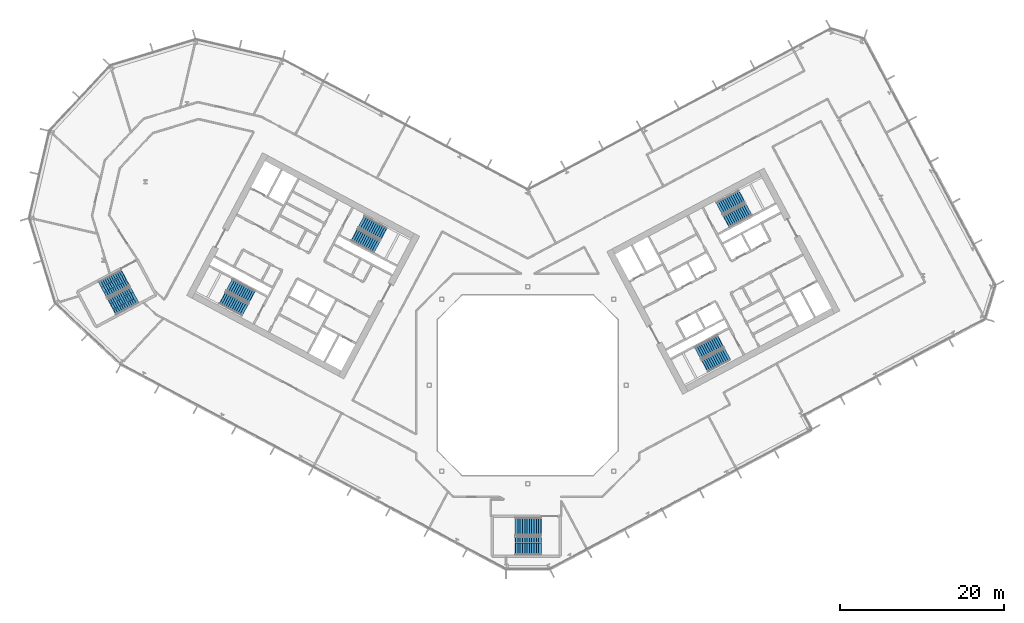
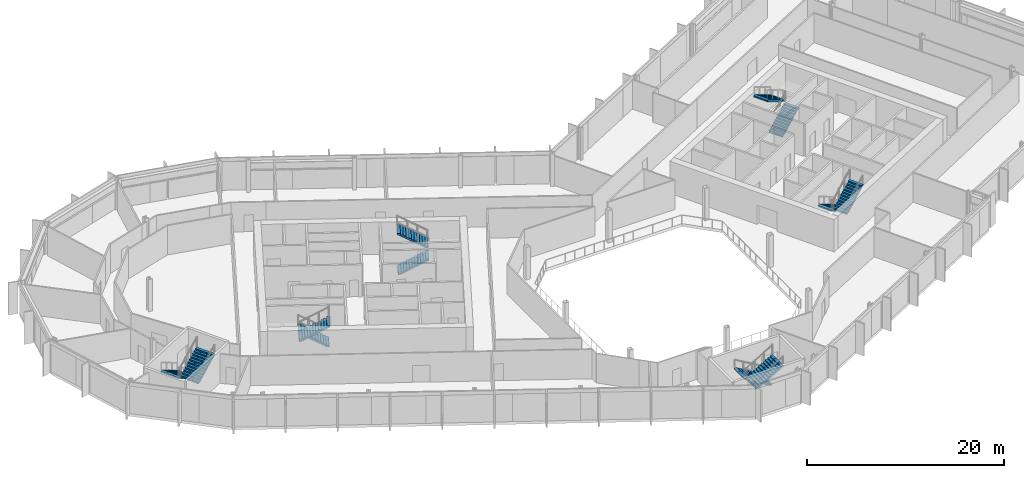
# One storey, part 18 of 28: 12 stair flights, 6 elements without a shape of their own.
"""IFC4 building model written with IfcOpenShell, lengths in metres."""

import ifcopenshell
import ifcopenshell.guid

model = None  # the IFC model being written
_history = None  # IfcOwnerHistory: only IFC2X3 demands one
_inside = {}  # id of a spatial element -> (the spatial element, [elements in it])
_under = {}  # id of a project, library or spatial element -> (it, [spatial elements below it])
_declared = {}  # id of a project -> (the project, [libraries it declares])
_typed = {}  # id of a type object -> (the type object, [elements of that type])
_made_of = {}  # id of a material, layer set ... -> (it, [elements and type objects made of it])


def new_model(schema):
    """Start an empty IFC model of exactly this schema.

    Asked for "IFC4X3", IfcOpenShell would pick the latest addendum, in which some entities
    have other attributes; the version numbers below select the first issue.
    IFC2X3 requires an IfcOwnerHistory on every rooted entity: one is made here for all.
    """
    global model, _history
    if schema == "IFC4X3":
        model = ifcopenshell.file(schema_version=(4, 3, 0, 0))
    else:
        model = ifcopenshell.file(schema=schema)
    _inside.clear()
    _under.clear()
    _declared.clear()
    _typed.clear()
    _made_of.clear()
    _history = None
    if model.schema == "IFC2X3":
        org = make("IfcOrganization", Name="unknown")
        user = make(
            "IfcPersonAndOrganization",
            ThePerson=make("IfcPerson", FamilyName="unknown"),
            TheOrganization=org,
        )
        app = make(
            "IfcApplication",
            ApplicationDeveloper=org,
            Version="unknown",
            ApplicationFullName="unknown",
            ApplicationIdentifier="unknown",
        )
        _history = make(
            "IfcOwnerHistory",
            OwningUser=user,
            OwningApplication=app,
            ChangeAction="ADDED",
            CreationDate=0,
        )
    return model


def make(cls, **values):
    """One entity of the class cls with the attributes given. An attribute that is None is left unset."""
    return model.create_entity(
        cls, **{name: value for name, value in values.items() if value is not None}
    )


def rooted(cls, **values):
    """An entity with a GlobalId (a new one), such as an element, a storey or a relation."""
    return make(cls, GlobalId=ifcopenshell.guid.new(), OwnerHistory=_history, **values)


def si_unit(unit_type, name, prefix=None):
    """IfcSIUnit, for example si_unit("LENGTHUNIT", "METRE", prefix="MILLI")."""
    return make("IfcSIUnit", UnitType=unit_type, Prefix=prefix, Name=name)


def assignment(units):
    """IfcUnitAssignment: the units of a project."""
    return None if units is None else make("IfcUnitAssignment", Units=units)


def point(xyz):
    """IfcCartesianPoint."""
    return None if xyz is None else make("IfcCartesianPoint", Coordinates=xyz)


def direction(xyz):
    """IfcDirection."""
    return None if xyz is None else make("IfcDirection", DirectionRatios=xyz)


def frame(location, z_axis=None, x_axis=None):
    """IfcAxis2Placement3D, a coordinate frame: its origin and axes. An axis left out is left unset."""
    return make(
        "IfcAxis2Placement3D",
        Location=point(location),
        Axis=direction(z_axis),
        RefDirection=direction(x_axis),
    )


def origin():
    """The frame at (0, 0, 0) with its axes left unset."""
    return frame((0.0, 0.0, 0.0))


def place(relative_to, where):
    """IfcLocalPlacement: puts the frame where relative to a parent placement (None: the world)."""
    return make(
        "IfcLocalPlacement", PlacementRelTo=relative_to, RelativePlacement=where
    )


def context(
    kind, dimensions, precision=None, world=None, true_north=None, identifier=None
):
    """IfcGeometricRepresentationContext, for example the 3D "Model" context."""
    return make(
        "IfcGeometricRepresentationContext",
        ContextIdentifier=identifier,
        ContextType=kind,
        CoordinateSpaceDimension=dimensions,
        Precision=precision,
        WorldCoordinateSystem=world,
        TrueNorth=true_north,
    )


def subcontext(parent, identifier, kind, view, scale=None):
    """IfcGeometricRepresentationSubContext, for example "Body" below "Model"."""
    return make(
        "IfcGeometricRepresentationSubContext",
        ContextIdentifier=identifier,
        ContextType=kind,
        ParentContext=parent,
        TargetScale=scale,
        TargetView=view,
    )


def project(units=None, contexts=None):
    """IfcProject with its units and contexts."""
    return rooted(
        "IfcProject",
        Name="project",
        RepresentationContexts=contexts,
        UnitsInContext=assignment(units),
    )


def spatial(cls, under=None, at=None, **own):
    """A site, building, storey or space (cls), placed at a placement, below another one or the project."""
    s = rooted(cls, ObjectPlacement=at, **own)
    if under is not None:
        _under.setdefault(under.id(), (under, []))[1].append(s)
    return s


def polyline(points):
    """IfcPolyline through the points."""
    return make("IfcPolyline", Points=[point(p) for p in points])


def outline(outer, holes=None, kind="AREA"):
    """IfcArbitraryClosedProfileDef: a profile drawn as a closed curve; with holes, ...WithVoids."""
    if holes is None:
        return make("IfcArbitraryClosedProfileDef", ProfileType=kind, OuterCurve=outer)
    return make(
        "IfcArbitraryProfileDefWithVoids",
        ProfileType=kind,
        OuterCurve=outer,
        InnerCurves=holes,
    )


def extrude(swept, where, along, depth):
    """IfcExtrudedAreaSolid: the profile swept, set in the frame where, extruded along a direction by depth."""
    return make(
        "IfcExtrudedAreaSolid",
        SweptArea=swept,
        Position=where,
        ExtrudedDirection=direction(along),
        Depth=depth,
    )


def shape(context_of_items, identifier, shape_type, items):
    """IfcShapeRepresentation: the items that make up one representation, for example the "Body"."""
    return make(
        "IfcShapeRepresentation",
        ContextOfItems=context_of_items,
        RepresentationIdentifier=identifier,
        RepresentationType=shape_type,
        Items=items,
    )


def material(Name=None, Category=None):
    """IfcMaterial."""
    return make("IfcMaterial", Name=Name, Category=Category)


def made_of(thing, what):
    """Note that an element or type object is made of a material, layer set ...; save() writes the relation."""
    if what is not None:
        _made_of.setdefault(what.id(), (what, []))[1].append(thing)
    return thing


def type_object(cls, material=None, **own):
    """A type object (cls), such as IfcWallType, which elements share."""
    return made_of(rooted(cls, **own), material)


def element(
    cls,
    number,
    at=None,
    inside=None,
    cuts=None,
    type_object=None,
    material=None,
    context=None,
    identifier="Body",
    shape_type=None,
    held_by="IfcProductDefinitionShape",
    body=None,
    shapes=None,
    **own,
):
    """One element of the class cls, such as IfcWall. Its Tag is "e" and its number.

    at: its placement. inside: the storey or other place that contains it. cuts: it is an
    opening in that element (IfcRelVoidsElement). A single representation is given by context,
    identifier, shape_type and body (its items); several are given by shapes. held_by: the class
    of the entity that holds the representations. save() writes the other relations.
    """
    e = rooted(cls, Tag="e%d" % number, ObjectPlacement=at, **own)
    if body is not None:
        shapes = [shape(context, identifier, shape_type, body)]
    if shapes is not None:
        e.Representation = make(held_by, Representations=shapes)
    if inside is not None:
        _inside.setdefault(inside.id(), (inside, []))[1].append(e)
    if cuts is not None:
        rooted(
            "IfcRelVoidsElement", RelatingBuildingElement=cuts, RelatedOpeningElement=e
        )
    if type_object is not None:
        _typed.setdefault(type_object.id(), (type_object, []))[1].append(e)
    return made_of(e, material)


def aggregate(whole, parts):
    """IfcRelAggregates: a whole, such as a stair, and the parts it consists of."""
    return rooted("IfcRelAggregates", RelatingObject=whole, RelatedObjects=parts)


def save(model, path):
    """Write the relations noted so far, then the file.

    IfcRelAggregates (storeys below a building ...), IfcRelContainedInSpatialStructure (elements
    in a storey), IfcRelDefinesByType, IfcRelAssociatesMaterial and IfcRelDeclares: one each for
    every whole, place, type object, material and project.
    """
    for whole, parts in _under.values():
        aggregate(whole, parts)
    for where, things in _inside.values():
        rooted(
            "IfcRelContainedInSpatialStructure",
            RelatedElements=things,
            RelatingStructure=where,
        )
    for kind, things in _typed.values():
        rooted("IfcRelDefinesByType", RelatedObjects=things, RelatingType=kind)
    for what, things in _made_of.values():
        rooted("IfcRelAssociatesMaterial", RelatedObjects=things, RelatingMaterial=what)
    for by, libraries in _declared.values():
        rooted("IfcRelDeclares", RelatingContext=by, RelatedDefinitions=libraries)
    model.write(path)


model = new_model("IFC4")

# Units and contexts
model_context = context("Model", 3, precision=1e-05, world=origin(), true_north=direction((0.0, 1.0)))
body_context = subcontext(model_context, "Body", "Model", "MODEL_VIEW")
ifc_project = project(units=[si_unit("LENGTHUNIT", "METRE"), si_unit("AREAUNIT", "SQUARE_METRE"), si_unit("VOLUMEUNIT", "CUBIC_METRE"), si_unit("PLANEANGLEUNIT", "RADIAN"), si_unit("MASSUNIT", "GRAM", prefix="KILO")], contexts=[model_context])

# Site, building, storey
site_placement = place(None, origin())
site = spatial("IfcSite", under=ifc_project, at=site_placement, CompositionType="ELEMENT")
building_placement = place(site_placement, origin())
building = spatial("IfcBuilding", under=site, at=building_placement, Name="Cormorant Relay Tower", CompositionType="ELEMENT")
storey_placement = place(building_placement, frame((0.0, 0.0, 166.199951171875)))
storey = spatial("IfcBuildingStorey", under=building, at=storey_placement, Name="L35", CompositionType="ELEMENT", Elevation=166.199951171875)

# Stair, stair flights
ifc_material_1 = material(Name="Concrete 40 MPa", Category="concrete")
stair_type_1 = type_object("IfcStairType", Name="Exit stair 1500", PredefinedType="HALF_TURN_STAIR", material=ifc_material_1)
stair_1_placement = place(storey_placement, origin())
stair_1 = element("IfcStair", 1, at=stair_1_placement, inside=storey, type_object=stair_type_1, Name="L35 Stair", PredefinedType="HALF_TURN_STAIR")
ifc_material_2 = material(Name="Concrete 40 MPa", Category="concrete")
stair_flight_type_1 = type_object("IfcStairFlightType", Name="Exit stair flight 1650", PredefinedType="STRAIGHT", material=ifc_material_2)
stair_flight_1_placement = place(storey_placement, frame((-21.114501953125, 18.33349609375, 0.0), z_axis=(0.0, 0.0, 1.0), x_axis=(0.882947592859, -0.469471562786, 0.0)))
stair_flight_1 = element("IfcStairFlight", 2, at=stair_flight_1_placement, type_object=stair_flight_type_1, Name="A1 flight 1", NumberOfRisers=12, NumberOfTreads=11, PredefinedType="STRAIGHT", RiserHeight=0.166666667, TreadLength=0.28, context=body_context, shape_type="SweptSolid", body=[
    extrude(outline(polyline([(-0.050048828125, -0.080078125), (-0.050048828125, 0.0), (0.0, 0.0), (0.0, 0.166748046875), (0.280029296875, 0.166748046875), (0.280029296875, 0.333251953125), (0.56005859375, 0.333251953125), (0.56005859375, 0.5), (0.840087890625, 0.5), (0.840087890625, 0.666748046875), (1.1201171875, 0.666748046875), (1.1201171875, 0.833251953125), (1.39990234375, 0.833251953125), (1.39990234375, 1.0), (1.679931640625, 1.0), (1.679931640625, 1.166748046875), (1.9599609375, 1.166748046875), (1.9599609375, 1.333251953125), (2.239990234375, 1.333251953125), (2.239990234375, 1.5), (2.52001953125, 1.5), (2.52001953125, 1.666748046875), (2.800048828125, 1.666748046875), (2.800048828125, 1.833251953125), (3.080078125, 1.833251953125), (3.130126953125, 1.833251953125), (3.130126953125, 1.658935546875), (3.080078125, 1.658935546875), (0.29296875, 0.0), (-0.050048828125, -0.080078125)])), frame((0.0, 0.824951171875, 0.0), z_axis=(0.0, -1.0, 0.0), x_axis=(1.0, 0.0, 0.0)), (0.0, 0.0, 1.0), 1.64990234375),
])
stair_flight_2_placement = place(storey_placement, frame((-17.5498046875, 18.47705078125, 2.0), z_axis=(0.0, 0.0, 1.0), x_axis=(-0.882947592859, 0.469471562786, 0.0)))
stair_flight_2 = element("IfcStairFlight", 3, at=stair_flight_2_placement, type_object=stair_flight_type_1, Name="A1 flight 2", NumberOfRisers=12, NumberOfTreads=11, PredefinedType="STRAIGHT", RiserHeight=0.166666667, TreadLength=0.28, context=body_context, shape_type="SweptSolid", body=[
    extrude(outline(polyline([(-0.050048828125, -0.080078125), (-0.050048828125, 0.0), (0.0, 0.0), (0.0, 0.166748046875), (0.280029296875, 0.166748046875), (0.280029296875, 0.333251953125), (0.56005859375, 0.333251953125), (0.56005859375, 0.5), (0.840087890625, 0.5), (0.840087890625, 0.666748046875), (1.1201171875, 0.666748046875), (1.1201171875, 0.833251953125), (1.39990234375, 0.833251953125), (1.39990234375, 1.0), (1.679931640625, 1.0), (1.679931640625, 1.166748046875), (1.9599609375, 1.166748046875), (1.9599609375, 1.333251953125), (2.239990234375, 1.333251953125), (2.239990234375, 1.5), (2.52001953125, 1.5), (2.52001953125, 1.666748046875), (2.800048828125, 1.666748046875), (2.800048828125, 1.833251953125), (3.080078125, 1.833251953125), (3.130126953125, 1.833251953125), (3.130126953125, 1.658935546875), (3.080078125, 1.658935546875), (0.29296875, 0.0), (-0.050048828125, -0.080078125)])), frame((0.0, 0.824951171875, 0.0), z_axis=(0.0, -1.0, 0.0), x_axis=(1.0, 0.0, 0.0)), (0.0, 0.0, 1.0), 1.64990234375),
])
aggregate(stair_1, [stair_flight_1, stair_flight_2])

stair_2_placement = place(storey_placement, origin())
stair_2 = element("IfcStair", 4, at=stair_2_placement, inside=storey, type_object=stair_type_1, Name="L35 Stair", PredefinedType="HALF_TURN_STAIR")
stair_flight_3_placement = place(storey_placement, frame((-33.62841796875, 10.773681640625, 0.0), z_axis=(0.0, 0.0, 1.0), x_axis=(-0.882947592859, 0.469471562786, 0.0)))
stair_flight_3 = element("IfcStairFlight", 5, at=stair_flight_3_placement, type_object=stair_flight_type_1, Name="A2 flight 1", NumberOfRisers=12, NumberOfTreads=11, PredefinedType="STRAIGHT", RiserHeight=0.166666667, TreadLength=0.28, context=body_context, shape_type="SweptSolid", body=[
    extrude(outline(polyline([(-0.050048828125, -0.080078125), (-0.050048828125, 0.0), (0.0, 0.0), (0.0, 0.166748046875), (0.280029296875, 0.166748046875), (0.280029296875, 0.333251953125), (0.56005859375, 0.333251953125), (0.56005859375, 0.5), (0.840087890625, 0.5), (0.840087890625, 0.666748046875), (1.1201171875, 0.666748046875), (1.1201171875, 0.833251953125), (1.39990234375, 0.833251953125), (1.39990234375, 1.0), (1.679931640625, 1.0), (1.679931640625, 1.166748046875), (1.9599609375, 1.166748046875), (1.9599609375, 1.333251953125), (2.239990234375, 1.333251953125), (2.239990234375, 1.5), (2.52001953125, 1.5), (2.52001953125, 1.666748046875), (2.800048828125, 1.666748046875), (2.800048828125, 1.833251953125), (3.080078125, 1.833251953125), (3.130126953125, 1.833251953125), (3.130126953125, 1.658935546875), (3.080078125, 1.658935546875), (0.29296875, 0.0), (-0.050048828125, -0.080078125)])), frame((0.0, 0.824951171875, 0.0), z_axis=(0.0, -1.0, 0.0), x_axis=(1.0, 0.0, 0.0)), (0.0, 0.0, 1.0), 1.64990234375),
])
stair_flight_4_placement = place(storey_placement, frame((-37.19287109375, 10.63037109375, 2.0), z_axis=(0.0, 0.0, 1.0), x_axis=(0.882947592859, -0.469471562786, 0.0)))
stair_flight_4 = element("IfcStairFlight", 6, at=stair_flight_4_placement, type_object=stair_flight_type_1, Name="A2 flight 2", NumberOfRisers=12, NumberOfTreads=11, PredefinedType="STRAIGHT", RiserHeight=0.166666667, TreadLength=0.28, context=body_context, shape_type="SweptSolid", body=[
    extrude(outline(polyline([(-0.050048828125, -0.080078125), (-0.050048828125, 0.0), (0.0, 0.0), (0.0, 0.166748046875), (0.280029296875, 0.166748046875), (0.280029296875, 0.333251953125), (0.56005859375, 0.333251953125), (0.56005859375, 0.5), (0.840087890625, 0.5), (0.840087890625, 0.666748046875), (1.1201171875, 0.666748046875), (1.1201171875, 0.833251953125), (1.39990234375, 0.833251953125), (1.39990234375, 1.0), (1.679931640625, 1.0), (1.679931640625, 1.166748046875), (1.9599609375, 1.166748046875), (1.9599609375, 1.333251953125), (2.239990234375, 1.333251953125), (2.239990234375, 1.5), (2.52001953125, 1.5), (2.52001953125, 1.666748046875), (2.800048828125, 1.666748046875), (2.800048828125, 1.833251953125), (3.080078125, 1.833251953125), (3.130126953125, 1.833251953125), (3.130126953125, 1.658935546875), (3.080078125, 1.658935546875), (0.29296875, 0.0), (-0.050048828125, -0.080078125)])), frame((0.0, 0.824951171875, 0.0), z_axis=(0.0, -1.0, 0.0), x_axis=(1.0, 0.0, 0.0)), (0.0, 0.0, 1.0), 1.64990234375),
])
aggregate(stair_2, [stair_flight_3, stair_flight_4])

stair_3_placement = place(storey_placement, origin())
stair_3 = element("IfcStair", 7, at=stair_3_placement, inside=storey, type_object=stair_type_1, Name="L35 Stair", PredefinedType="HALF_TURN_STAIR")
stair_flight_5_placement = place(storey_placement, frame((23.474365234375, 5.374755859375, 0.0), z_axis=(0.0, 0.0, 1.0), x_axis=(-0.882947592859, -0.469471562786, 0.0)))
stair_flight_5 = element("IfcStairFlight", 8, at=stair_flight_5_placement, type_object=stair_flight_type_1, Name="B1 flight 1", NumberOfRisers=12, NumberOfTreads=11, PredefinedType="STRAIGHT", RiserHeight=0.166666667, TreadLength=0.28, context=body_context, shape_type="SweptSolid", body=[
    extrude(outline(polyline([(-0.050048828125, -0.080078125), (-0.050048828125, 0.0), (0.0, 0.0), (0.0, 0.166748046875), (0.280029296875, 0.166748046875), (0.280029296875, 0.333251953125), (0.56005859375, 0.333251953125), (0.56005859375, 0.5), (0.840087890625, 0.5), (0.840087890625, 0.666748046875), (1.1201171875, 0.666748046875), (1.1201171875, 0.833251953125), (1.39990234375, 0.833251953125), (1.39990234375, 1.0), (1.679931640625, 1.0), (1.679931640625, 1.166748046875), (1.9599609375, 1.166748046875), (1.9599609375, 1.333251953125), (2.239990234375, 1.333251953125), (2.239990234375, 1.5), (2.52001953125, 1.5), (2.52001953125, 1.666748046875), (2.800048828125, 1.666748046875), (2.800048828125, 1.833251953125), (3.080078125, 1.833251953125), (3.130126953125, 1.833251953125), (3.130126953125, 1.658935546875), (3.080078125, 1.658935546875), (0.29296875, 0.0), (-0.050048828125, -0.080078125)])), frame((0.0, 0.824951171875, 0.0), z_axis=(0.0, -1.0, 0.0), x_axis=(1.0, 0.0, 0.0)), (0.0, 0.0, 1.0), 1.64990234375),
])
stair_flight_6_placement = place(storey_placement, frame((21.60009765625, 2.33935546875, 2.0), z_axis=(0.0, 0.0, 1.0), x_axis=(0.882947592859, 0.469471562786, 0.0)))
stair_flight_6 = element("IfcStairFlight", 9, at=stair_flight_6_placement, type_object=stair_flight_type_1, Name="B1 flight 2", NumberOfRisers=12, NumberOfTreads=11, PredefinedType="STRAIGHT", RiserHeight=0.166666667, TreadLength=0.28, context=body_context, shape_type="SweptSolid", body=[
    extrude(outline(polyline([(-0.050048828125, -0.080078125), (-0.050048828125, 0.0), (0.0, 0.0), (0.0, 0.166748046875), (0.280029296875, 0.166748046875), (0.280029296875, 0.333251953125), (0.56005859375, 0.333251953125), (0.56005859375, 0.5), (0.840087890625, 0.5), (0.840087890625, 0.666748046875), (1.1201171875, 0.666748046875), (1.1201171875, 0.833251953125), (1.39990234375, 0.833251953125), (1.39990234375, 1.0), (1.679931640625, 1.0), (1.679931640625, 1.166748046875), (1.9599609375, 1.166748046875), (1.9599609375, 1.333251953125), (2.239990234375, 1.333251953125), (2.239990234375, 1.5), (2.52001953125, 1.5), (2.52001953125, 1.666748046875), (2.800048828125, 1.666748046875), (2.800048828125, 1.833251953125), (3.080078125, 1.833251953125), (3.130126953125, 1.833251953125), (3.130126953125, 1.658935546875), (3.080078125, 1.658935546875), (0.29296875, 0.0), (-0.050048828125, -0.080078125)])), frame((0.0, 0.824951171875, 0.0), z_axis=(0.0, -1.0, 0.0), x_axis=(1.0, 0.0, 0.0)), (0.0, 0.0, 1.0), 1.64990234375),
])
aggregate(stair_3, [stair_flight_5, stair_flight_6])

stair_4_placement = place(storey_placement, origin())
stair_4 = element("IfcStair", 10, at=stair_4_placement, inside=storey, type_object=stair_type_1, Name="L35 Stair", PredefinedType="HALF_TURN_STAIR")
stair_flight_7_placement = place(storey_placement, frame((24.20458984375, 19.976806640625, 0.0), z_axis=(0.0, 0.0, 1.0), x_axis=(0.882947592859, 0.469471562786, 0.0)))
stair_flight_7 = element("IfcStairFlight", 11, at=stair_flight_7_placement, type_object=stair_flight_type_1, Name="B2 flight 1", NumberOfRisers=12, NumberOfTreads=11, PredefinedType="STRAIGHT", RiserHeight=0.166666667, TreadLength=0.28, context=body_context, shape_type="SweptSolid", body=[
    extrude(outline(polyline([(-0.050048828125, -0.080078125), (-0.050048828125, 0.0), (0.0, 0.0), (0.0, 0.166748046875), (0.280029296875, 0.166748046875), (0.280029296875, 0.333251953125), (0.56005859375, 0.333251953125), (0.56005859375, 0.5), (0.840087890625, 0.5), (0.840087890625, 0.666748046875), (1.1201171875, 0.666748046875), (1.1201171875, 0.833251953125), (1.39990234375, 0.833251953125), (1.39990234375, 1.0), (1.679931640625, 1.0), (1.679931640625, 1.166748046875), (1.9599609375, 1.166748046875), (1.9599609375, 1.333251953125), (2.239990234375, 1.333251953125), (2.239990234375, 1.5), (2.52001953125, 1.5), (2.52001953125, 1.666748046875), (2.800048828125, 1.666748046875), (2.800048828125, 1.833251953125), (3.080078125, 1.833251953125), (3.130126953125, 1.833251953125), (3.130126953125, 1.658935546875), (3.080078125, 1.658935546875), (0.29296875, 0.0), (-0.050048828125, -0.080078125)])), frame((0.0, 0.824951171875, 0.0), z_axis=(0.0, -1.0, 0.0), x_axis=(1.0, 0.0, 0.0)), (0.0, 0.0, 1.0), 1.64990234375),
])
stair_flight_8_placement = place(storey_placement, frame((26.0791015625, 23.011962890625, 2.0), z_axis=(0.0, 0.0, 1.0), x_axis=(-0.882947592859, -0.469471562786, 0.0)))
stair_flight_8 = element("IfcStairFlight", 12, at=stair_flight_8_placement, type_object=stair_flight_type_1, Name="B2 flight 2", NumberOfRisers=12, NumberOfTreads=11, PredefinedType="STRAIGHT", RiserHeight=0.166666667, TreadLength=0.28, context=body_context, shape_type="SweptSolid", body=[
    extrude(outline(polyline([(-0.050048828125, -0.080078125), (-0.050048828125, 0.0), (0.0, 0.0), (0.0, 0.166748046875), (0.280029296875, 0.166748046875), (0.280029296875, 0.333251953125), (0.56005859375, 0.333251953125), (0.56005859375, 0.5), (0.840087890625, 0.5), (0.840087890625, 0.666748046875), (1.1201171875, 0.666748046875), (1.1201171875, 0.833251953125), (1.39990234375, 0.833251953125), (1.39990234375, 1.0), (1.679931640625, 1.0), (1.679931640625, 1.166748046875), (1.9599609375, 1.166748046875), (1.9599609375, 1.333251953125), (2.239990234375, 1.333251953125), (2.239990234375, 1.5), (2.52001953125, 1.5), (2.52001953125, 1.666748046875), (2.800048828125, 1.666748046875), (2.800048828125, 1.833251953125), (3.080078125, 1.833251953125), (3.130126953125, 1.833251953125), (3.130126953125, 1.658935546875), (3.080078125, 1.658935546875), (0.29296875, 0.0), (-0.050048828125, -0.080078125)])), frame((0.0, 0.824951171875, 0.0), z_axis=(0.0, -1.0, 0.0), x_axis=(1.0, 0.0, 0.0)), (0.0, 0.0, 1.0), 1.64990234375),
])
aggregate(stair_4, [stair_flight_7, stair_flight_8])

ifc_material_3 = material(Name="Concrete 40 MPa", Category="concrete")
stair_type_2 = type_object("IfcStairType", Name="Remote exit stair 2200", PredefinedType="HALF_TURN_STAIR", material=ifc_material_3)
stair_5_placement = place(storey_placement, origin())
stair_5 = element("IfcStair", 13, at=stair_5_placement, inside=storey, type_object=stair_type_2, Name="L35 Stair", PredefinedType="HALF_TURN_STAIR")
ifc_material_4 = material(Name="Concrete 40 MPa", Category="concrete")
stair_flight_type_2 = type_object("IfcStairFlightType", Name="Remote exit stair flight 2200", PredefinedType="STRAIGHT", material=ifc_material_4)
stair_flight_9_placement = place(storey_placement, frame((1.60009765625, -17.22509765625, 0.0), z_axis=(0.0, 0.0, 1.0), x_axis=(-1.0, 0.0, 0.0)))
stair_flight_9 = element("IfcStairFlight", 14, at=stair_flight_9_placement, type_object=stair_flight_type_2, Name="RK1 flight 1", NumberOfRisers=12, NumberOfTreads=11, PredefinedType="STRAIGHT", RiserHeight=0.166666667, TreadLength=0.28, context=body_context, shape_type="SweptSolid", body=[
    extrude(outline(polyline([(-0.050048828125, -0.080078125), (-0.050048828125, 0.0), (0.0, 0.0), (0.0, 0.166748046875), (0.280029296875, 0.166748046875), (0.280029296875, 0.333251953125), (0.56005859375, 0.333251953125), (0.56005859375, 0.5), (0.840087890625, 0.5), (0.840087890625, 0.666748046875), (1.1201171875, 0.666748046875), (1.1201171875, 0.833251953125), (1.39990234375, 0.833251953125), (1.39990234375, 1.0), (1.679931640625, 1.0), (1.679931640625, 1.166748046875), (1.9599609375, 1.166748046875), (1.9599609375, 1.333251953125), (2.239990234375, 1.333251953125), (2.239990234375, 1.5), (2.52001953125, 1.5), (2.52001953125, 1.666748046875), (2.800048828125, 1.666748046875), (2.800048828125, 1.833251953125), (3.080078125, 1.833251953125), (3.130126953125, 1.833251953125), (3.130126953125, 1.658935546875), (3.080078125, 1.658935546875), (0.29296875, 0.0), (-0.050048828125, -0.080078125)])), frame((0.0, 1.10009765625, 0.0), z_axis=(0.0, -1.0, 0.0), x_axis=(1.0, 0.0, 0.0)), (0.0, 0.0, 1.0), 0.719970703125),
    extrude(outline(polyline([(-0.050048828125, -0.080078125), (-0.050048828125, 0.0), (0.0, 0.0), (0.0, 0.166748046875), (0.280029296875, 0.166748046875), (0.280029296875, 0.333251953125), (0.56005859375, 0.333251953125), (0.56005859375, 0.5), (0.840087890625, 0.5), (0.840087890625, 0.666748046875), (1.1201171875, 0.666748046875), (1.1201171875, 0.833251953125), (1.39990234375, 0.833251953125), (1.39990234375, 1.0), (1.679931640625, 1.0), (1.679931640625, 1.166748046875), (1.9599609375, 1.166748046875), (1.9599609375, 1.333251953125), (2.239990234375, 1.333251953125), (2.239990234375, 1.5), (2.52001953125, 1.5), (2.52001953125, 1.666748046875), (2.800048828125, 1.666748046875), (2.800048828125, 1.833251953125), (3.080078125, 1.833251953125), (3.130126953125, 1.833251953125), (3.130126953125, 1.658935546875), (3.080078125, 1.658935546875), (0.29296875, 0.0), (-0.050048828125, -0.080078125)])), frame((0.0, 0.360107421875, 0.0), z_axis=(0.0, -1.0, 0.0), x_axis=(1.0, 0.0, 0.0)), (0.0, 0.0, 1.0), 0.719970703125),
    extrude(outline(polyline([(-0.050048828125, -0.080078125), (-0.050048828125, 0.0), (0.0, 0.0), (0.0, 0.166748046875), (0.280029296875, 0.166748046875), (0.280029296875, 0.333251953125), (0.56005859375, 0.333251953125), (0.56005859375, 0.5), (0.840087890625, 0.5), (0.840087890625, 0.666748046875), (1.1201171875, 0.666748046875), (1.1201171875, 0.833251953125), (1.39990234375, 0.833251953125), (1.39990234375, 1.0), (1.679931640625, 1.0), (1.679931640625, 1.166748046875), (1.9599609375, 1.166748046875), (1.9599609375, 1.333251953125), (2.239990234375, 1.333251953125), (2.239990234375, 1.5), (2.52001953125, 1.5), (2.52001953125, 1.666748046875), (2.800048828125, 1.666748046875), (2.800048828125, 1.833251953125), (3.080078125, 1.833251953125), (3.130126953125, 1.833251953125), (3.130126953125, 1.658935546875), (3.080078125, 1.658935546875), (0.29296875, 0.0), (-0.050048828125, -0.080078125)])), frame((0.0, -0.3798828125, 0.0), z_axis=(0.0, -1.0, 0.0), x_axis=(1.0, 0.0, 0.0)), (0.0, 0.0, 1.0), 0.719970703125),
])
stair_flight_10_placement = place(storey_placement, frame((-1.47998046875, -19.574951171875, 2.0), z_axis=(0.0, 0.0, 1.0), x_axis=(1.0, 0.0, 0.0)))
stair_flight_10 = element("IfcStairFlight", 15, at=stair_flight_10_placement, type_object=stair_flight_type_2, Name="RK1 flight 2", NumberOfRisers=12, NumberOfTreads=11, PredefinedType="STRAIGHT", RiserHeight=0.166666667, TreadLength=0.28, context=body_context, shape_type="SweptSolid", body=[
    extrude(outline(polyline([(-0.050048828125, -0.080078125), (-0.050048828125, 0.0), (0.0, 0.0), (0.0, 0.166748046875), (0.280029296875, 0.166748046875), (0.280029296875, 0.333251953125), (0.56005859375, 0.333251953125), (0.56005859375, 0.5), (0.840087890625, 0.5), (0.840087890625, 0.666748046875), (1.1201171875, 0.666748046875), (1.1201171875, 0.833251953125), (1.39990234375, 0.833251953125), (1.39990234375, 1.0), (1.679931640625, 1.0), (1.679931640625, 1.166748046875), (1.9599609375, 1.166748046875), (1.9599609375, 1.333251953125), (2.239990234375, 1.333251953125), (2.239990234375, 1.5), (2.52001953125, 1.5), (2.52001953125, 1.666748046875), (2.800048828125, 1.666748046875), (2.800048828125, 1.833251953125), (3.080078125, 1.833251953125), (3.130126953125, 1.833251953125), (3.130126953125, 1.658935546875), (3.080078125, 1.658935546875), (0.29296875, 0.0), (-0.050048828125, -0.080078125)])), frame((0.0, 1.10009765625, 0.0), z_axis=(0.0, -1.0, 0.0), x_axis=(1.0, 0.0, 0.0)), (0.0, 0.0, 1.0), 0.719970703125),
    extrude(outline(polyline([(-0.050048828125, -0.080078125), (-0.050048828125, 0.0), (0.0, 0.0), (0.0, 0.166748046875), (0.280029296875, 0.166748046875), (0.280029296875, 0.333251953125), (0.56005859375, 0.333251953125), (0.56005859375, 0.5), (0.840087890625, 0.5), (0.840087890625, 0.666748046875), (1.1201171875, 0.666748046875), (1.1201171875, 0.833251953125), (1.39990234375, 0.833251953125), (1.39990234375, 1.0), (1.679931640625, 1.0), (1.679931640625, 1.166748046875), (1.9599609375, 1.166748046875), (1.9599609375, 1.333251953125), (2.239990234375, 1.333251953125), (2.239990234375, 1.5), (2.52001953125, 1.5), (2.52001953125, 1.666748046875), (2.800048828125, 1.666748046875), (2.800048828125, 1.833251953125), (3.080078125, 1.833251953125), (3.130126953125, 1.833251953125), (3.130126953125, 1.658935546875), (3.080078125, 1.658935546875), (0.29296875, 0.0), (-0.050048828125, -0.080078125)])), frame((0.0, 0.360107421875, 0.0), z_axis=(0.0, -1.0, 0.0), x_axis=(1.0, 0.0, 0.0)), (0.0, 0.0, 1.0), 0.719970703125),
    extrude(outline(polyline([(-0.050048828125, -0.080078125), (-0.050048828125, 0.0), (0.0, 0.0), (0.0, 0.166748046875), (0.280029296875, 0.166748046875), (0.280029296875, 0.333251953125), (0.56005859375, 0.333251953125), (0.56005859375, 0.5), (0.840087890625, 0.5), (0.840087890625, 0.666748046875), (1.1201171875, 0.666748046875), (1.1201171875, 0.833251953125), (1.39990234375, 0.833251953125), (1.39990234375, 1.0), (1.679931640625, 1.0), (1.679931640625, 1.166748046875), (1.9599609375, 1.166748046875), (1.9599609375, 1.333251953125), (2.239990234375, 1.333251953125), (2.239990234375, 1.5), (2.52001953125, 1.5), (2.52001953125, 1.666748046875), (2.800048828125, 1.666748046875), (2.800048828125, 1.833251953125), (3.080078125, 1.833251953125), (3.130126953125, 1.833251953125), (3.130126953125, 1.658935546875), (3.080078125, 1.658935546875), (0.29296875, 0.0), (-0.050048828125, -0.080078125)])), frame((0.0, -0.3798828125, 0.0), z_axis=(0.0, -1.0, 0.0), x_axis=(1.0, 0.0, 0.0)), (0.0, 0.0, 1.0), 0.719970703125),
])
aggregate(stair_5, [stair_flight_9, stair_flight_10])

stair_6_placement = place(storey_placement, origin())
stair_6 = element("IfcStair", 16, at=stair_6_placement, inside=storey, type_object=stair_type_2, Name="L35 Stair", PredefinedType="HALF_TURN_STAIR")
stair_flight_11_placement = place(storey_placement, frame((-49.062255859375, 13.08251953125, 0.0), z_axis=(0.0, 0.0, 1.0), x_axis=(-0.882947502727, -0.4694717323, 0.0)))
stair_flight_11 = element("IfcStairFlight", 17, at=stair_flight_11_placement, type_object=stair_flight_type_2, Name="RP1 flight 1", NumberOfRisers=12, NumberOfTreads=11, PredefinedType="STRAIGHT", RiserHeight=0.166666667, TreadLength=0.28, context=body_context, shape_type="SweptSolid", body=[
    extrude(outline(polyline([(-0.050048828125, -0.080078125), (-0.050048828125, 0.0), (0.0, 0.0), (0.0, 0.166748046875), (0.280029296875, 0.166748046875), (0.280029296875, 0.333251953125), (0.56005859375, 0.333251953125), (0.56005859375, 0.5), (0.840087890625, 0.5), (0.840087890625, 0.666748046875), (1.1201171875, 0.666748046875), (1.1201171875, 0.833251953125), (1.39990234375, 0.833251953125), (1.39990234375, 1.0), (1.679931640625, 1.0), (1.679931640625, 1.166748046875), (1.9599609375, 1.166748046875), (1.9599609375, 1.333251953125), (2.239990234375, 1.333251953125), (2.239990234375, 1.5), (2.52001953125, 1.5), (2.52001953125, 1.666748046875), (2.800048828125, 1.666748046875), (2.800048828125, 1.833251953125), (3.080078125, 1.833251953125), (3.130126953125, 1.833251953125), (3.130126953125, 1.658935546875), (3.080078125, 1.658935546875), (0.29296875, 0.0), (-0.050048828125, -0.080078125)])), frame((0.0, 1.10009765625, 0.0), z_axis=(0.0, -1.0, 0.0), x_axis=(1.0, 0.0, 0.0)), (0.0, 0.0, 1.0), 0.719970703125),
    extrude(outline(polyline([(-0.050048828125, -0.080078125), (-0.050048828125, 0.0), (0.0, 0.0), (0.0, 0.166748046875), (0.280029296875, 0.166748046875), (0.280029296875, 0.333251953125), (0.56005859375, 0.333251953125), (0.56005859375, 0.5), (0.840087890625, 0.5), (0.840087890625, 0.666748046875), (1.1201171875, 0.666748046875), (1.1201171875, 0.833251953125), (1.39990234375, 0.833251953125), (1.39990234375, 1.0), (1.679931640625, 1.0), (1.679931640625, 1.166748046875), (1.9599609375, 1.166748046875), (1.9599609375, 1.333251953125), (2.239990234375, 1.333251953125), (2.239990234375, 1.5), (2.52001953125, 1.5), (2.52001953125, 1.666748046875), (2.800048828125, 1.666748046875), (2.800048828125, 1.833251953125), (3.080078125, 1.833251953125), (3.130126953125, 1.833251953125), (3.130126953125, 1.658935546875), (3.080078125, 1.658935546875), (0.29296875, 0.0), (-0.050048828125, -0.080078125)])), frame((0.0, 0.360107421875, 0.0), z_axis=(0.0, -1.0, 0.0), x_axis=(1.0, 0.0, 0.0)), (0.0, 0.0, 1.0), 0.719970703125),
    extrude(outline(polyline([(-0.050048828125, -0.080078125), (-0.050048828125, 0.0), (0.0, 0.0), (0.0, 0.166748046875), (0.280029296875, 0.166748046875), (0.280029296875, 0.333251953125), (0.56005859375, 0.333251953125), (0.56005859375, 0.5), (0.840087890625, 0.5), (0.840087890625, 0.666748046875), (1.1201171875, 0.666748046875), (1.1201171875, 0.833251953125), (1.39990234375, 0.833251953125), (1.39990234375, 1.0), (1.679931640625, 1.0), (1.679931640625, 1.166748046875), (1.9599609375, 1.166748046875), (1.9599609375, 1.333251953125), (2.239990234375, 1.333251953125), (2.239990234375, 1.5), (2.52001953125, 1.5), (2.52001953125, 1.666748046875), (2.800048828125, 1.666748046875), (2.800048828125, 1.833251953125), (3.080078125, 1.833251953125), (3.130126953125, 1.833251953125), (3.130126953125, 1.658935546875), (3.080078125, 1.658935546875), (0.29296875, 0.0), (-0.050048828125, -0.080078125)])), frame((0.0, -0.3798828125, 0.0), z_axis=(0.0, -1.0, 0.0), x_axis=(1.0, 0.0, 0.0)), (0.0, 0.0, 1.0), 0.719970703125),
])
stair_flight_12_placement = place(storey_placement, frame((-50.678466796875, 9.5615234375, 2.0), z_axis=(0.0, 0.0, 1.0), x_axis=(0.882947502727, 0.4694717323, 0.0)))
stair_flight_12 = element("IfcStairFlight", 18, at=stair_flight_12_placement, type_object=stair_flight_type_2, Name="RP1 flight 2", NumberOfRisers=12, NumberOfTreads=11, PredefinedType="STRAIGHT", RiserHeight=0.166666667, TreadLength=0.28, context=body_context, shape_type="SweptSolid", body=[
    extrude(outline(polyline([(-0.050048828125, -0.080078125), (-0.050048828125, 0.0), (0.0, 0.0), (0.0, 0.166748046875), (0.280029296875, 0.166748046875), (0.280029296875, 0.333251953125), (0.56005859375, 0.333251953125), (0.56005859375, 0.5), (0.840087890625, 0.5), (0.840087890625, 0.666748046875), (1.1201171875, 0.666748046875), (1.1201171875, 0.833251953125), (1.39990234375, 0.833251953125), (1.39990234375, 1.0), (1.679931640625, 1.0), (1.679931640625, 1.166748046875), (1.9599609375, 1.166748046875), (1.9599609375, 1.333251953125), (2.239990234375, 1.333251953125), (2.239990234375, 1.5), (2.52001953125, 1.5), (2.52001953125, 1.666748046875), (2.800048828125, 1.666748046875), (2.800048828125, 1.833251953125), (3.080078125, 1.833251953125), (3.130126953125, 1.833251953125), (3.130126953125, 1.658935546875), (3.080078125, 1.658935546875), (0.29296875, 0.0), (-0.050048828125, -0.080078125)])), frame((0.0, 1.10009765625, 0.0), z_axis=(0.0, -1.0, 0.0), x_axis=(1.0, 0.0, 0.0)), (0.0, 0.0, 1.0), 0.719970703125),
    extrude(outline(polyline([(-0.050048828125, -0.080078125), (-0.050048828125, 0.0), (0.0, 0.0), (0.0, 0.166748046875), (0.280029296875, 0.166748046875), (0.280029296875, 0.333251953125), (0.56005859375, 0.333251953125), (0.56005859375, 0.5), (0.840087890625, 0.5), (0.840087890625, 0.666748046875), (1.1201171875, 0.666748046875), (1.1201171875, 0.833251953125), (1.39990234375, 0.833251953125), (1.39990234375, 1.0), (1.679931640625, 1.0), (1.679931640625, 1.166748046875), (1.9599609375, 1.166748046875), (1.9599609375, 1.333251953125), (2.239990234375, 1.333251953125), (2.239990234375, 1.5), (2.52001953125, 1.5), (2.52001953125, 1.666748046875), (2.800048828125, 1.666748046875), (2.800048828125, 1.833251953125), (3.080078125, 1.833251953125), (3.130126953125, 1.833251953125), (3.130126953125, 1.658935546875), (3.080078125, 1.658935546875), (0.29296875, 0.0), (-0.050048828125, -0.080078125)])), frame((0.0, 0.360107421875, 0.0), z_axis=(0.0, -1.0, 0.0), x_axis=(1.0, 0.0, 0.0)), (0.0, 0.0, 1.0), 0.719970703125),
    extrude(outline(polyline([(-0.050048828125, -0.080078125), (-0.050048828125, 0.0), (0.0, 0.0), (0.0, 0.166748046875), (0.280029296875, 0.166748046875), (0.280029296875, 0.333251953125), (0.56005859375, 0.333251953125), (0.56005859375, 0.5), (0.840087890625, 0.5), (0.840087890625, 0.666748046875), (1.1201171875, 0.666748046875), (1.1201171875, 0.833251953125), (1.39990234375, 0.833251953125), (1.39990234375, 1.0), (1.679931640625, 1.0), (1.679931640625, 1.166748046875), (1.9599609375, 1.166748046875), (1.9599609375, 1.333251953125), (2.239990234375, 1.333251953125), (2.239990234375, 1.5), (2.52001953125, 1.5), (2.52001953125, 1.666748046875), (2.800048828125, 1.666748046875), (2.800048828125, 1.833251953125), (3.080078125, 1.833251953125), (3.130126953125, 1.833251953125), (3.130126953125, 1.658935546875), (3.080078125, 1.658935546875), (0.29296875, 0.0), (-0.050048828125, -0.080078125)])), frame((0.0, -0.3798828125, 0.0), z_axis=(0.0, -1.0, 0.0), x_axis=(1.0, 0.0, 0.0)), (0.0, 0.0, 1.0), 0.719970703125),
])
aggregate(stair_6, [stair_flight_11, stair_flight_12])

save(model, "model.ifc")
